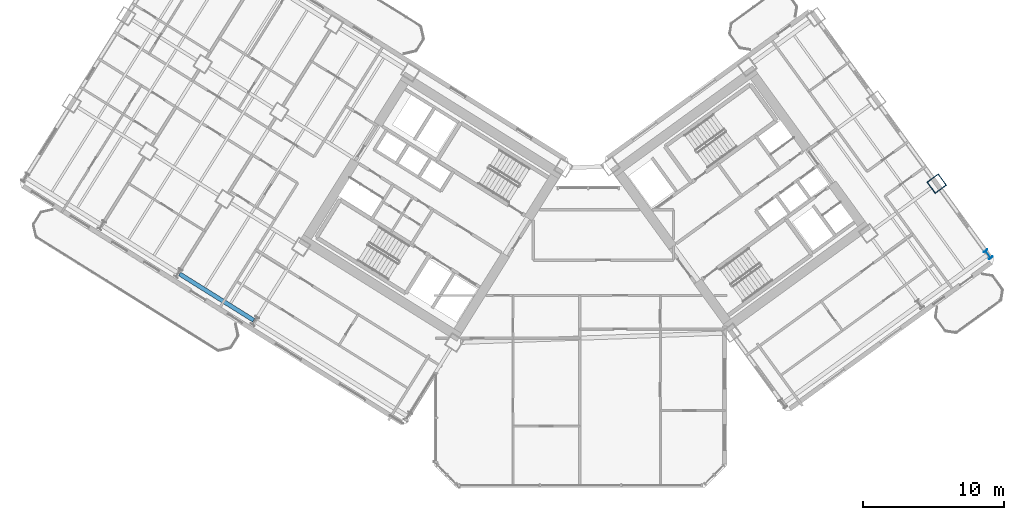
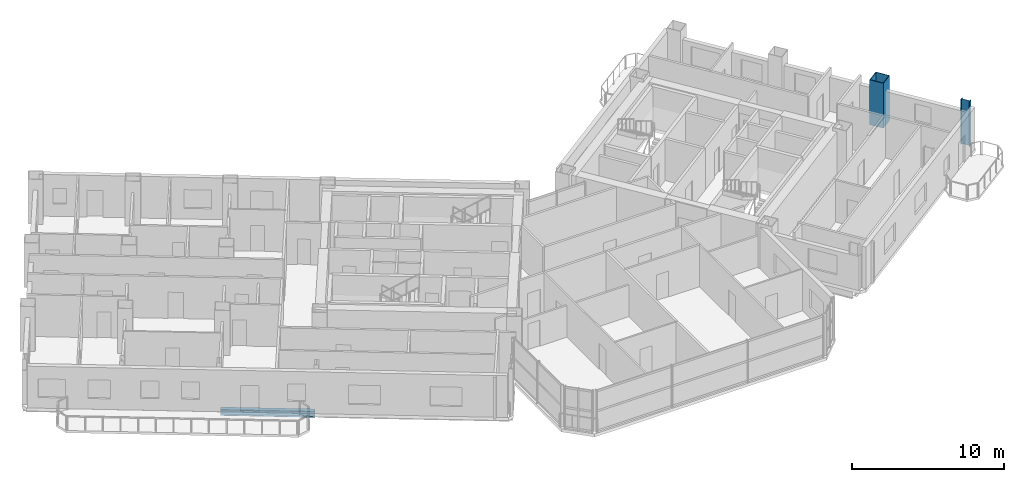
# One storey, part 4 of 24: 2 columns, 1 beam.
"""IFC4 building model written with IfcOpenShell, lengths in metres."""

from ifc_helpers import new_model, si_unit, direction, frame, origin, origin_2d, place, context, subcontext, project, spatial, hollow_rectangle, i_section, extrude, source, transform, mapped, material, material_profile, profile_set, type_object, element, save


model = new_model("IFC4")

# Units and contexts
model_context = context("Model", 3, precision=1e-05, world=origin(), true_north=direction((0.0, 1.0)))
body_context = subcontext(model_context, "Body", "Model", "MODEL_VIEW")
ifc_project = project(units=[si_unit("LENGTHUNIT", "METRE"), si_unit("AREAUNIT", "SQUARE_METRE"), si_unit("VOLUMEUNIT", "CUBIC_METRE"), si_unit("PLANEANGLEUNIT", "RADIAN"), si_unit("MASSUNIT", "GRAM", prefix="KILO")], contexts=[model_context])

# Site, building, storey
site_placement = place(None, origin())
site = spatial("IfcSite", under=ifc_project, at=site_placement, CompositionType="ELEMENT")
building_placement = place(site_placement, origin())
building = spatial("IfcBuilding", under=site, at=building_placement, Name="Tlacorven Tower", CompositionType="ELEMENT")
storey_placement = place(building_placement, frame((0.0, 0.0, 45.60009765625)))
storey = spatial("IfcBuildingStorey", under=building, at=storey_placement, Name="L11", CompositionType="ELEMENT", Elevation=45.60009765625)

# Columns
ifc_material_1 = material(Name="Steel S460M", Category="steel")
ifc_material_profile_1 = material_profile(ifc_material_1, hollow_rectangle(XDim=1.0, YDim=1.0, WallThickness=0.0400390625, at=origin_2d()), Name="BOX 1000X1000X40")
ifc_profile_set_1 = profile_set([ifc_material_profile_1], Name="Steel S460M")
column_type_1 = type_object("IfcColumnType", Name="COL-TWR-S1", PredefinedType="COLUMN", material=ifc_profile_set_1)
shared_shape_1 = source(origin(), body_context, "Body", "SweptSolid", [
    extrude(hollow_rectangle(XDim=1.0, YDim=1.0, WallThickness=0.0400390625, at=origin_2d()), origin(), (0.0, 0.0, 1.0), 3.599853515625),
])
column_1_placement = place(storey_placement, frame((67.267822265625, 23.353515625, 0.0), z_axis=(0.0, 0.0, 1.0), x_axis=(0.809016994375, 0.587785252292, 0.0)))
element("IfcColumn", 1, at=column_1_placement, inside=storey, type_object=column_type_1, Name="L11 column COL-L11-E4-2", PredefinedType="COLUMN", context=body_context, shape_type="MappedRepresentation", body=[
    mapped(shared_shape_1, transform((0.0, 0.0, 0.0), scale=1.0)),
])
ifc_material_profile_2 = material_profile(ifc_material_1, i_section(OverallWidth=0.300048828125, OverallDepth=0.64990234375, WebThickness=0.01611328125, FlangeThickness=0.031005859375, at=origin_2d()), Name="HEB 650")
ifc_profile_set_2 = profile_set([ifc_material_profile_2], Name="Steel S460M")
column_type_2 = type_object("IfcColumnType", Name="COL-TWR-P1", PredefinedType="COLUMN", material=ifc_profile_set_2)
shared_shape_2 = source(origin(), body_context, "Body", "SweptSolid", [
    extrude(i_section(OverallWidth=0.300048828125, OverallDepth=0.64990234375, WebThickness=0.01611328125, FlangeThickness=0.031005859375, at=origin_2d()), origin(), (0.0, 0.0, 1.0), 3.599853515625),
])
column_2_placement = place(storey_placement, frame((70.911865234375, 18.337646484375, 0.0), z_axis=(0.0, 0.0, 1.0), x_axis=(0.809016994375, 0.587785252292, 0.0)))
element("IfcColumn", 2, at=column_2_placement, inside=storey, type_object=column_type_2, Name="L11 column COL-L11-E4-1", PredefinedType="COLUMN", context=body_context, shape_type="MappedRepresentation", body=[
    mapped(shared_shape_2, transform((0.0, 0.0, 0.0), scale=1.0)),
])

# Beam
ifc_material_2 = material(Name="Steel S355J2", Category="steel")
ifc_material_profile_3 = material_profile(ifc_material_2, i_section(OverallWidth=0.300048828125, OverallDepth=0.489990234375, WebThickness=0.011962890625, FlangeThickness=0.02294921875, at=origin_2d()), Name="HEA 500")
ifc_profile_set_3 = profile_set([ifc_material_profile_3], Name="Steel S355J2")
beam_type = type_object("IfcBeamType", Name="BM-SPN-500", PredefinedType="SPANDREL", material=ifc_profile_set_3)
shared_shape_3 = source(origin(), body_context, "Body", "SweptSolid", [
    extrude(i_section(OverallWidth=0.300048828125, OverallDepth=0.489990234375, WebThickness=0.011962890625, FlangeThickness=0.02294921875, at=origin_2d()), origin(), (0.0, 0.0, 1.0), 6.199951171875),
])
beam_placement = place(storey_placement, frame((18.82080078125, 13.6650390625, -0.4951171875), z_axis=(-0.848051394107, 0.529913986372, 0.0), x_axis=(-0.529913986372, -0.848051394107, 0.0)))
element("IfcBeam", 3, at=beam_placement, inside=storey, type_object=beam_type, Name="L11 beam BM-L11-WL4-3", PredefinedType="SPANDREL", context=body_context, shape_type="MappedRepresentation", body=[
    mapped(shared_shape_3, transform((0.0, 0.0, 0.0), scale=1.0)),
])

save(model, "model.ifc")
